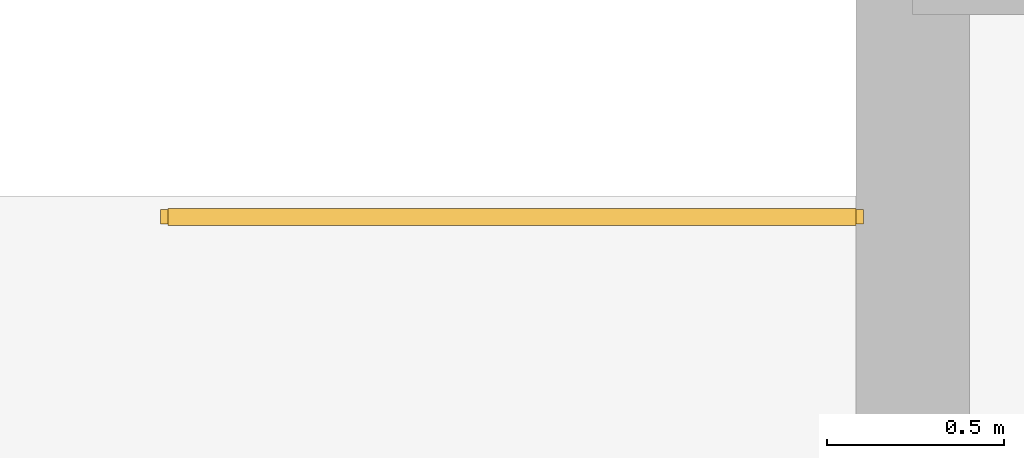
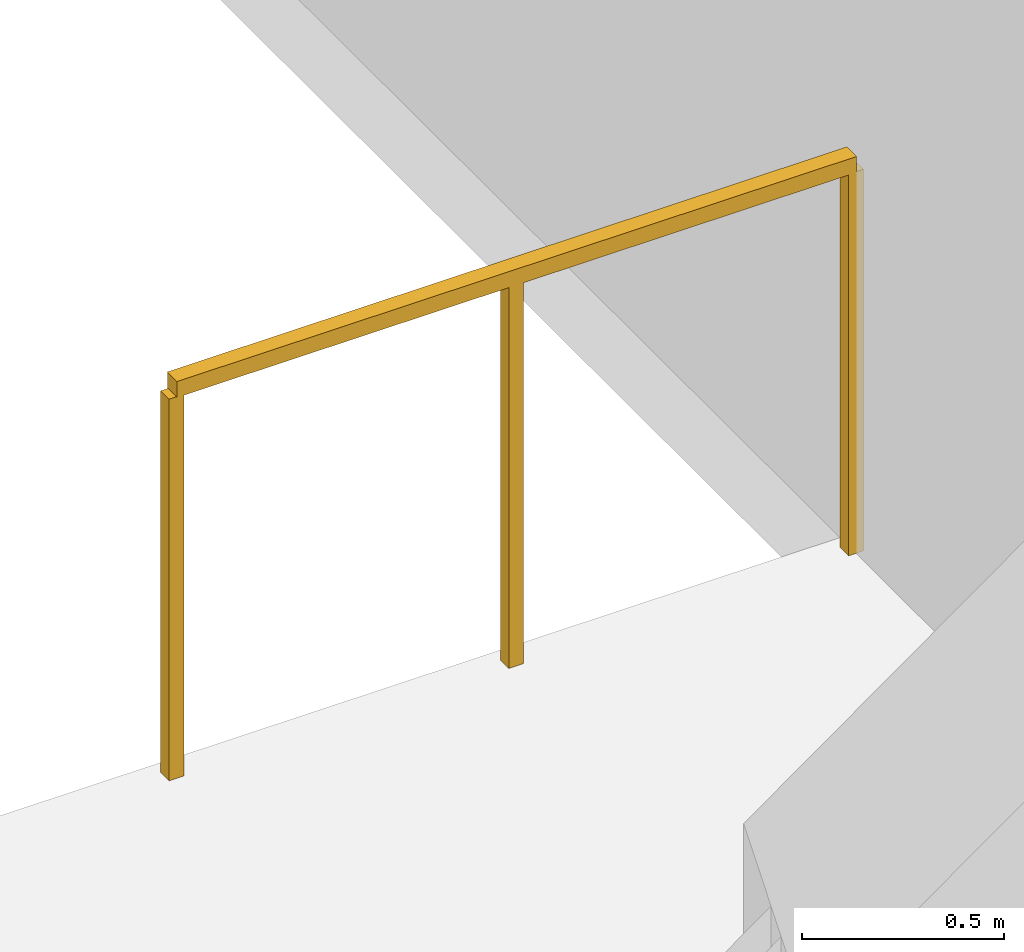
# One storey, part 3 of 3: 1 railing.
"""IFC4 building model written with IfcOpenShell, lengths in metres."""

from ifc_helpers import new_model, si_unit, direction, frame, origin, origin_2d, place, context, subcontext, project, spatial, rectangle, extrude, material, type_object, element, save


model = new_model("IFC4")

# Units and contexts
model_context = context("Model", 3, precision=1e-05, world=origin(), true_north=direction((0.0, 1.0)))
body_context = subcontext(model_context, "Body", "Model", "MODEL_VIEW")
ifc_project = project(units=[si_unit("LENGTHUNIT", "METRE"), si_unit("AREAUNIT", "SQUARE_METRE"), si_unit("VOLUMEUNIT", "CUBIC_METRE"), si_unit("PLANEANGLEUNIT", "RADIAN"), si_unit("MASSUNIT", "GRAM", prefix="KILO")], contexts=[model_context])

# Site, building, storey
site_placement = place(None, origin())
site = spatial("IfcSite", under=ifc_project, at=site_placement, CompositionType="ELEMENT")
building_placement = place(site_placement, origin())
building = spatial("IfcBuilding", under=site, at=building_placement, Name="Talyreon Biosciences Tower", CompositionType="ELEMENT")
storey_placement = place(building_placement, frame((0.0, 0.0, 329.800048828125)))
storey = spatial("IfcBuildingStorey", under=building, at=storey_placement, Name="L87", CompositionType="ELEMENT", Elevation=329.800048828125)

# Railing
ifc_material = material(Name="Painted galvanised steel post-and-rail balustrade", Category="steel")
railing_type = type_object("IfcRailingType", Name="TerraceStairGuard_1200", PredefinedType="GUARDRAIL", material=ifc_material)
railing_placement = place(storey_placement, frame((64.840087890625, 54.75, 0.0)))
element("IfcRailing", 1, at=railing_placement, inside=storey, type_object=railing_type, Name="L87 ST-4 top well guard 1", PredefinedType="GUARDRAIL", context=body_context, shape_type="SweptSolid", body=[
    extrude(rectangle(XDim=0.048095703125, YDim=0.048095703125, at=origin_2d()), frame((0.0, 0.0, 1.17578125), z_axis=(-1.0, 0.0, 0.0), x_axis=(0.0, -1.0, 0.0)), (0.0, 0.0, 1.0), 1.940185546875),
    extrude(rectangle(XDim=0.0419921875, YDim=0.0419921875, at=origin_2d()), origin(), (0.0, 0.0, 1.0), 1.15185546875),
    extrude(rectangle(XDim=0.0419921875, YDim=0.0419921875, at=origin_2d()), frame((-0.97021484375, 0.0, 0.0)), (0.0, 0.0, 1.0), 1.15185546875),
    extrude(rectangle(XDim=0.0419921875, YDim=0.0419921875, at=origin_2d()), frame((-1.940185546875, 0.0, 0.0)), (0.0, 0.0, 1.0), 1.15185546875),
])

save(model, "model.ifc")
